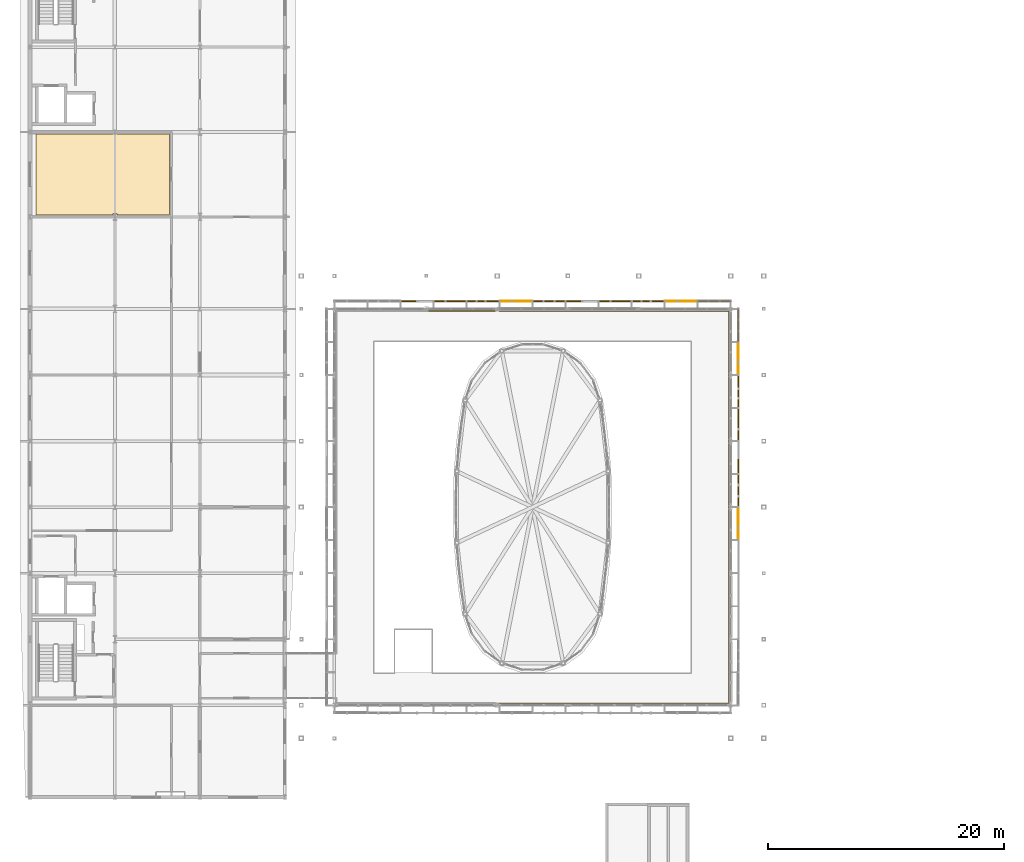
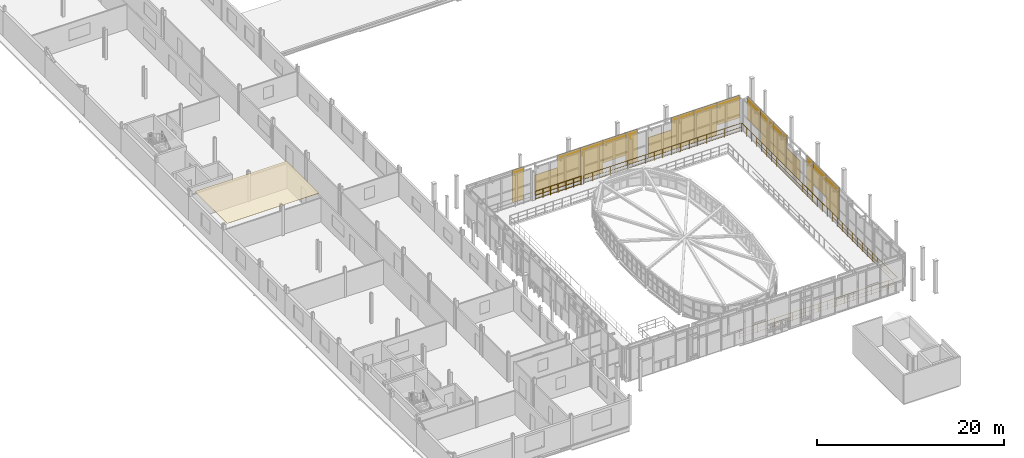
# One storey, part 75 of 78: 17 shading devices, 2 railings, 1 covering.
"""IFC4 building model written with IfcOpenShell, lengths in metres."""

from ifc_helpers import new_model, si_unit, direction, frame, origin, origin_2d, place, context, subcontext, project, spatial, polyline, rectangle, circle, outline, extrude, material, layer, layer_set, type_object, element, save


model = new_model("IFC4")

# Units and contexts
model_context = context("Model", 3, precision=1e-05, world=origin(), true_north=direction((0.0, 1.0)))
body_context = subcontext(model_context, "Body", "Model", "MODEL_VIEW")
ifc_project = project(units=[si_unit("LENGTHUNIT", "METRE"), si_unit("AREAUNIT", "SQUARE_METRE"), si_unit("VOLUMEUNIT", "CUBIC_METRE"), si_unit("PLANEANGLEUNIT", "RADIAN"), si_unit("MASSUNIT", "GRAM", prefix="KILO")], contexts=[model_context])

# Site, building, storey
site_placement = place(None, origin())
site = spatial("IfcSite", under=ifc_project, at=site_placement, CompositionType="ELEMENT")
building_placement = place(site_placement, origin())
building = spatial("IfcBuilding", under=site, at=building_placement, Name="Vinh Khe Railworks Police Headquarters", CompositionType="ELEMENT")
storey_placement = place(building_placement, frame((0.0, 0.0, 13.199951171875)))
storey = spatial("IfcBuildingStorey", under=building, at=storey_placement, Name="L03", CompositionType="ELEMENT", Elevation=13.199951171875)

# Covering
ifc_material_1 = material(Name="Mineral fibre acoustic ceiling tile")
ifc_layer = layer(ifc_material_1, 0.034912109375)
ifc_layer_set = layer_set([ifc_layer], Name="Mineral fibre acoustic ceiling tile")
covering_type = type_object("IfcCoveringType", Name="COV-CEIL-ACOUSTIC", PredefinedType="CEILING", material=ifc_layer_set)
covering_placement = place(storey_placement, frame((0.0, 0.0, 3.614990234375)))
element("IfcCovering", 1, at=covering_placement, inside=storey, type_object=covering_type, Name="Acoustic Ceiling Forensic Liaison Office", PredefinedType="CEILING", context=body_context, shape_type="SweptSolid", body=[
    extrude(outline(polyline([(7.955078125, 66.760009765625), (12.43994140625, 66.760009765625), (12.43994140625, 73.639892578125), (7.9599609375, 73.639892578125), (7.9599609375, 73.625), (7.639892578125, 73.625), (7.639892578125, 73.639892578125), (1.110107421875, 73.639892578125), (1.110107421875, 66.760009765625), (7.64501953125, 66.760009765625), (7.64501953125, 66.8798828125), (7.955078125, 66.8798828125), (7.955078125, 66.760009765625)])), origin(), (0.0, 0.0, 1.0), 0.03515625),
])

# Railings
ifc_material_2 = material(Name="Dark steel and laminated safety glass", Category="steel")
railing_type = type_object("IfcRailingType", Name="RL-ATRIUM-1150", PredefinedType="BALUSTRADE", material=ifc_material_2)
railing_1_placement = place(storey_placement, frame((40.375, 25.3798828125, 0.0)))
element("IfcRailing", 2, at=railing_1_placement, inside=storey, type_object=railing_type, Name="Atrium Balustrade GR-V1PERIM-L03-02", PredefinedType="BALUSTRADE", context=body_context, shape_type="SweptSolid", body=[
    extrude(circle(Radius=0.02392578125, at=origin_2d()), frame((0.0, 0.0, 1.1259765625), z_axis=(1.0, 0.0, 0.0), x_axis=(0.0, 1.0, 0.0)), (0.0, 0.0, 1.0), 19.445068359375),
    extrude(circle(Radius=0.01416015625, at=origin_2d()), frame((0.0, 0.0, 0.137939453125), z_axis=(1.0, 0.0, 0.0), x_axis=(0.0, 1.0, 0.0)), (0.0, 0.0, 1.0), 19.445068359375),
    extrude(circle(Radius=0.01416015625, at=origin_2d()), frame((0.0, 0.0, 0.597900390625), z_axis=(1.0, 0.0, 0.0), x_axis=(0.0, 1.0, 0.0)), (0.0, 0.0, 1.0), 19.445068359375),
    extrude(circle(Radius=0.02392578125, at=origin_2d()), frame((19.445068359375, 0.0, 1.1259765625), z_axis=(0.0, 1.0, 0.0), x_axis=(-1.0, 0.0, 0.0)), (0.0, 0.0, 1.0), 33.240234375),
    extrude(circle(Radius=0.01416015625, at=origin_2d()), frame((19.445068359375, 0.0, 0.137939453125), z_axis=(0.0, 1.0, 0.0), x_axis=(-1.0, 0.0, 0.0)), (0.0, 0.0, 1.0), 33.240234375),
    extrude(circle(Radius=0.01416015625, at=origin_2d()), frame((19.445068359375, 0.0, 0.597900390625), z_axis=(0.0, 1.0, 0.0), x_axis=(-1.0, 0.0, 0.0)), (0.0, 0.0, 1.0), 33.240234375),
    extrude(circle(Radius=0.02392578125, at=origin_2d()), frame((19.445068359375, 33.240234375, 1.1259765625), z_axis=(-1.0, 0.0, 0.0), x_axis=(0.0, -1.0, 0.0)), (0.0, 0.0, 1.0), 19.445068359375),
    extrude(circle(Radius=0.01416015625, at=origin_2d()), frame((19.445068359375, 33.240234375, 0.137939453125), z_axis=(-1.0, 0.0, 0.0), x_axis=(0.0, -1.0, 0.0)), (0.0, 0.0, 1.0), 19.445068359375),
    extrude(circle(Radius=0.01416015625, at=origin_2d()), frame((19.445068359375, 33.240234375, 0.597900390625), z_axis=(-1.0, 0.0, 0.0), x_axis=(0.0, -1.0, 0.0)), (0.0, 0.0, 1.0), 19.445068359375),
    extrude(circle(Radius=0.02099609375, at=origin_2d()), origin(), (0.0, 0.0, 1.0), 1.101806640625),
    extrude(circle(Radius=0.02099609375, at=origin_2d()), frame((1.080322265625, 0.0, 0.0)), (0.0, 0.0, 1.0), 1.101806640625),
    extrude(circle(Radius=0.02099609375, at=origin_2d()), frame((2.16064453125, 0.0, 0.0)), (0.0, 0.0, 1.0), 1.101806640625),
    extrude(circle(Radius=0.02099609375, at=origin_2d()), frame((3.24072265625, 0.0, 0.0)), (0.0, 0.0, 1.0), 1.101806640625),
    extrude(circle(Radius=0.02099609375, at=origin_2d()), frame((4.321044921875, 0.0, 0.0)), (0.0, 0.0, 1.0), 1.101806640625),
    extrude(circle(Radius=0.02099609375, at=origin_2d()), frame((5.4013671875, 0.0, 0.0)), (0.0, 0.0, 1.0), 1.101806640625),
    extrude(circle(Radius=0.02099609375, at=origin_2d()), frame((6.481689453125, 0.0, 0.0)), (0.0, 0.0, 1.0), 1.101806640625),
    extrude(circle(Radius=0.02099609375, at=origin_2d()), frame((7.56201171875, 0.0, 0.0)), (0.0, 0.0, 1.0), 1.101806640625),
    extrude(circle(Radius=0.02099609375, at=origin_2d()), frame((8.642333984375, 0.0, 0.0)), (0.0, 0.0, 1.0), 1.101806640625),
    extrude(circle(Radius=0.02099609375, at=origin_2d()), frame((9.72265625, 0.0, 0.0)), (0.0, 0.0, 1.0), 1.101806640625),
    extrude(circle(Radius=0.02099609375, at=origin_2d()), frame((10.802734375, 0.0, 0.0)), (0.0, 0.0, 1.0), 1.101806640625),
    extrude(circle(Radius=0.02099609375, at=origin_2d()), frame((11.883056640625, 0.0, 0.0)), (0.0, 0.0, 1.0), 1.101806640625),
    extrude(circle(Radius=0.02099609375, at=origin_2d()), frame((12.96337890625, 0.0, 0.0)), (0.0, 0.0, 1.0), 1.101806640625),
    extrude(circle(Radius=0.02099609375, at=origin_2d()), frame((14.043701171875, 0.0, 0.0)), (0.0, 0.0, 1.0), 1.101806640625),
    extrude(circle(Radius=0.02099609375, at=origin_2d()), frame((15.1240234375, 0.0, 0.0)), (0.0, 0.0, 1.0), 1.101806640625),
    extrude(circle(Radius=0.02099609375, at=origin_2d()), frame((16.2041015625, 0.0, 0.0)), (0.0, 0.0, 1.0), 1.101806640625),
    extrude(circle(Radius=0.02099609375, at=origin_2d()), frame((17.284423828125, 0.0, 0.0)), (0.0, 0.0, 1.0), 1.101806640625),
    extrude(circle(Radius=0.02099609375, at=origin_2d()), frame((18.36474609375, 0.0, 0.0)), (0.0, 0.0, 1.0), 1.101806640625),
    extrude(circle(Radius=0.02099609375, at=origin_2d()), frame((19.445068359375, 0.0, 0.0)), (0.0, 0.0, 1.0), 1.101806640625),
    extrude(circle(Radius=0.02099609375, at=origin_2d()), frame((19.445068359375, 1.072265625, 0.0)), (0.0, 0.0, 1.0), 1.101806640625),
    extrude(circle(Radius=0.02099609375, at=origin_2d()), frame((19.445068359375, 2.14453125, 0.0)), (0.0, 0.0, 1.0), 1.101806640625),
    extrude(circle(Radius=0.02099609375, at=origin_2d()), frame((19.445068359375, 3.216796875, 0.0)), (0.0, 0.0, 1.0), 1.101806640625),
    extrude(circle(Radius=0.02099609375, at=origin_2d()), frame((19.445068359375, 4.2890625, 0.0)), (0.0, 0.0, 1.0), 1.101806640625),
    extrude(circle(Radius=0.02099609375, at=origin_2d()), frame((19.445068359375, 5.361328125, 0.0)), (0.0, 0.0, 1.0), 1.101806640625),
    extrude(circle(Radius=0.02099609375, at=origin_2d()), frame((19.445068359375, 6.43359375, 0.0)), (0.0, 0.0, 1.0), 1.101806640625),
    extrude(circle(Radius=0.02099609375, at=origin_2d()), frame((19.445068359375, 7.505859375, 0.0)), (0.0, 0.0, 1.0), 1.101806640625),
    extrude(circle(Radius=0.02099609375, at=origin_2d()), frame((19.445068359375, 8.578125, 0.0)), (0.0, 0.0, 1.0), 1.101806640625),
    extrude(circle(Radius=0.02099609375, at=origin_2d()), frame((19.445068359375, 9.650390625, 0.0)), (0.0, 0.0, 1.0), 1.101806640625),
    extrude(circle(Radius=0.02099609375, at=origin_2d()), frame((19.445068359375, 10.72265625, 0.0)), (0.0, 0.0, 1.0), 1.101806640625),
    extrude(circle(Radius=0.02099609375, at=origin_2d()), frame((19.445068359375, 11.794921875, 0.0)), (0.0, 0.0, 1.0), 1.101806640625),
    extrude(circle(Radius=0.02099609375, at=origin_2d()), frame((19.445068359375, 12.8671875, 0.0)), (0.0, 0.0, 1.0), 1.101806640625),
    extrude(circle(Radius=0.02099609375, at=origin_2d()), frame((19.445068359375, 13.939453125, 0.0)), (0.0, 0.0, 1.0), 1.101806640625),
    extrude(circle(Radius=0.02099609375, at=origin_2d()), frame((19.445068359375, 15.01171875, 0.0)), (0.0, 0.0, 1.0), 1.101806640625),
    extrude(circle(Radius=0.02099609375, at=origin_2d()), frame((19.445068359375, 16.083984375, 0.0)), (0.0, 0.0, 1.0), 1.101806640625),
    extrude(circle(Radius=0.02099609375, at=origin_2d()), frame((19.445068359375, 17.15625, 0.0)), (0.0, 0.0, 1.0), 1.101806640625),
    extrude(circle(Radius=0.02099609375, at=origin_2d()), frame((19.445068359375, 18.228515625, 0.0)), (0.0, 0.0, 1.0), 1.101806640625),
    extrude(circle(Radius=0.02099609375, at=origin_2d()), frame((19.445068359375, 19.30078125, 0.0)), (0.0, 0.0, 1.0), 1.101806640625),
    extrude(circle(Radius=0.02099609375, at=origin_2d()), frame((19.445068359375, 20.373046875, 0.0)), (0.0, 0.0, 1.0), 1.101806640625),
    extrude(circle(Radius=0.02099609375, at=origin_2d()), frame((19.445068359375, 21.4453125, 0.0)), (0.0, 0.0, 1.0), 1.101806640625),
    extrude(circle(Radius=0.02099609375, at=origin_2d()), frame((19.445068359375, 22.517578125, 0.0)), (0.0, 0.0, 1.0), 1.101806640625),
    extrude(circle(Radius=0.02099609375, at=origin_2d()), frame((19.445068359375, 23.58984375, 0.0)), (0.0, 0.0, 1.0), 1.101806640625),
    extrude(circle(Radius=0.02099609375, at=origin_2d()), frame((19.445068359375, 24.662109375, 0.0)), (0.0, 0.0, 1.0), 1.101806640625),
    extrude(circle(Radius=0.02099609375, at=origin_2d()), frame((19.445068359375, 25.734375, 0.0)), (0.0, 0.0, 1.0), 1.101806640625),
    extrude(circle(Radius=0.02099609375, at=origin_2d()), frame((19.445068359375, 26.806640625, 0.0)), (0.0, 0.0, 1.0), 1.101806640625),
    extrude(circle(Radius=0.02099609375, at=origin_2d()), frame((19.445068359375, 27.87890625, 0.0)), (0.0, 0.0, 1.0), 1.101806640625),
    extrude(circle(Radius=0.02099609375, at=origin_2d()), frame((19.445068359375, 28.951171875, 0.0)), (0.0, 0.0, 1.0), 1.101806640625),
    extrude(circle(Radius=0.02099609375, at=origin_2d()), frame((19.445068359375, 30.0234375, 0.0)), (0.0, 0.0, 1.0), 1.101806640625),
    extrude(circle(Radius=0.02099609375, at=origin_2d()), frame((19.445068359375, 31.095703125, 0.0)), (0.0, 0.0, 1.0), 1.101806640625),
    extrude(circle(Radius=0.02099609375, at=origin_2d()), frame((19.445068359375, 32.16796875, 0.0)), (0.0, 0.0, 1.0), 1.101806640625),
    extrude(circle(Radius=0.02099609375, at=origin_2d()), frame((19.445068359375, 33.240234375, 0.0)), (0.0, 0.0, 1.0), 1.101806640625),
    extrude(circle(Radius=0.02099609375, at=origin_2d()), frame((18.36474609375, 33.240234375, 0.0)), (0.0, 0.0, 1.0), 1.101806640625),
    extrude(circle(Radius=0.02099609375, at=origin_2d()), frame((17.284423828125, 33.240234375, 0.0)), (0.0, 0.0, 1.0), 1.101806640625),
    extrude(circle(Radius=0.02099609375, at=origin_2d()), frame((16.2041015625, 33.240234375, 0.0)), (0.0, 0.0, 1.0), 1.101806640625),
    extrude(circle(Radius=0.02099609375, at=origin_2d()), frame((15.1240234375, 33.240234375, 0.0)), (0.0, 0.0, 1.0), 1.101806640625),
    extrude(circle(Radius=0.02099609375, at=origin_2d()), frame((14.043701171875, 33.240234375, 0.0)), (0.0, 0.0, 1.0), 1.101806640625),
    extrude(circle(Radius=0.02099609375, at=origin_2d()), frame((12.96337890625, 33.240234375, 0.0)), (0.0, 0.0, 1.0), 1.101806640625),
    extrude(circle(Radius=0.02099609375, at=origin_2d()), frame((11.883056640625, 33.240234375, 0.0)), (0.0, 0.0, 1.0), 1.101806640625),
    extrude(circle(Radius=0.02099609375, at=origin_2d()), frame((10.802734375, 33.240234375, 0.0)), (0.0, 0.0, 1.0), 1.101806640625),
    extrude(circle(Radius=0.02099609375, at=origin_2d()), frame((9.72265625, 33.240234375, 0.0)), (0.0, 0.0, 1.0), 1.101806640625),
    extrude(circle(Radius=0.02099609375, at=origin_2d()), frame((8.642333984375, 33.240234375, 0.0)), (0.0, 0.0, 1.0), 1.101806640625),
    extrude(circle(Radius=0.02099609375, at=origin_2d()), frame((7.56201171875, 33.240234375, 0.0)), (0.0, 0.0, 1.0), 1.101806640625),
    extrude(circle(Radius=0.02099609375, at=origin_2d()), frame((6.481689453125, 33.240234375, 0.0)), (0.0, 0.0, 1.0), 1.101806640625),
    extrude(circle(Radius=0.02099609375, at=origin_2d()), frame((5.4013671875, 33.240234375, 0.0)), (0.0, 0.0, 1.0), 1.101806640625),
    extrude(circle(Radius=0.02099609375, at=origin_2d()), frame((4.321044921875, 33.240234375, 0.0)), (0.0, 0.0, 1.0), 1.101806640625),
    extrude(circle(Radius=0.02099609375, at=origin_2d()), frame((3.24072265625, 33.240234375, 0.0)), (0.0, 0.0, 1.0), 1.101806640625),
    extrude(circle(Radius=0.02099609375, at=origin_2d()), frame((2.16064453125, 33.240234375, 0.0)), (0.0, 0.0, 1.0), 1.101806640625),
    extrude(circle(Radius=0.02099609375, at=origin_2d()), frame((1.080322265625, 33.240234375, 0.0)), (0.0, 0.0, 1.0), 1.101806640625),
    extrude(circle(Radius=0.02099609375, at=origin_2d()), frame((0.0, 33.240234375, 0.0)), (0.0, 0.0, 1.0), 1.101806640625),
])
railing_2_placement = place(storey_placement, frame((40.02490234375, 58.6201171875, 0.0)))
element("IfcRailing", 3, at=railing_2_placement, inside=storey, type_object=railing_type, Name="Atrium Balustrade GR-V1PERIM-L03-03", PredefinedType="BALUSTRADE", context=body_context, shape_type="SweptSolid", body=[
    extrude(circle(Radius=0.02392578125, at=origin_2d()), frame((0.0, 0.0, 1.1259765625), z_axis=(-1.0, 0.0, 0.0), x_axis=(0.0, -1.0, 0.0)), (0.0, 0.0, 1.0), 5.64990234375),
    extrude(circle(Radius=0.01416015625, at=origin_2d()), frame((0.0, 0.0, 0.137939453125), z_axis=(-1.0, 0.0, 0.0), x_axis=(0.0, -1.0, 0.0)), (0.0, 0.0, 1.0), 5.64990234375),
    extrude(circle(Radius=0.01416015625, at=origin_2d()), frame((0.0, 0.0, 0.597900390625), z_axis=(-1.0, 0.0, 0.0), x_axis=(0.0, -1.0, 0.0)), (0.0, 0.0, 1.0), 5.64990234375),
    extrude(circle(Radius=0.02099609375, at=origin_2d()), origin(), (0.0, 0.0, 1.0), 1.101806640625),
    extrude(circle(Radius=0.02099609375, at=origin_2d()), frame((-0.941650390625, 0.0, 0.0)), (0.0, 0.0, 1.0), 1.101806640625),
    extrude(circle(Radius=0.02099609375, at=origin_2d()), frame((-1.88330078125, 0.0, 0.0)), (0.0, 0.0, 1.0), 1.101806640625),
    extrude(circle(Radius=0.02099609375, at=origin_2d()), frame((-2.824951171875, 0.0, 0.0)), (0.0, 0.0, 1.0), 1.101806640625),
    extrude(circle(Radius=0.02099609375, at=origin_2d()), frame((-3.7666015625, 0.0, 0.0)), (0.0, 0.0, 1.0), 1.101806640625),
    extrude(circle(Radius=0.02099609375, at=origin_2d()), frame((-4.708251953125, 0.0, 0.0)), (0.0, 0.0, 1.0), 1.101806640625),
    extrude(circle(Radius=0.02099609375, at=origin_2d()), frame((-5.64990234375, 0.0, 0.0)), (0.0, 0.0, 1.0), 1.101806640625),
])

# Shading devices
ifc_material_3 = material(Name="Salvaged ironwood timber", Category="wood")
shading_device_type_1 = type_object("IfcShadingDeviceType", Name="SHD-QS-01", PredefinedType="JALOUSIE", material=ifc_material_3)
shading_device_1_placement = place(storey_placement, frame((36.199951171875, 59.449951171875, 0.0), z_axis=(0.0, 0.0, 1.0), x_axis=(1.0, 0.0, 0.0)))
element("IfcShadingDevice", 4, at=shading_device_1_placement, inside=storey, type_object=shading_device_type_1, Name="Salvaged Ironwood Quilt Casement N-4", PredefinedType="JALOUSIE", context=body_context, shape_type="SweptSolid", body=[
    extrude(rectangle(XDim=2.800048828125, YDim=0.090087890625, at=origin_2d()), origin(), (0.0, 0.0, 1.0), 2.60400390625),
])
shading_device_2_placement = place(storey_placement, frame((44.60009765625, 59.449951171875, 1.260009765625), z_axis=(0.0, 0.0, 1.0), x_axis=(1.0, 0.0, 0.0)))
element("IfcShadingDevice", 5, at=shading_device_2_placement, inside=storey, type_object=shading_device_type_1, Name="Salvaged Ironwood Upper Quilt Frame N-7", PredefinedType="JALOUSIE", context=body_context, shape_type="SweptSolid", body=[
    extrude(rectangle(XDim=2.800048828125, YDim=0.090087890625, at=origin_2d()), origin(), (0.0, 0.0, 1.0), 2.93994140625),
])
shading_device_3_placement = place(storey_placement, frame((50.199951171875, 59.449951171875, 0.0), z_axis=(0.0, 0.0, 1.0), x_axis=(1.0, 0.0, 0.0)))
element("IfcShadingDevice", 6, at=shading_device_3_placement, inside=storey, type_object=shading_device_type_1, Name="Salvaged Ironwood Quilt Casement N-9", PredefinedType="JALOUSIE", context=body_context, shape_type="SweptSolid", body=[
    extrude(rectangle(XDim=2.800048828125, YDim=0.090087890625, at=origin_2d()), origin(), (0.0, 0.0, 1.0), 2.60400390625),
])
for number, where, z_axis, x_axis, name in (
    (7, (58.60009765625, 59.449951171875, 1.260009765625), (0.0, 0.0, 1.0), (1.0, 0.0, 0.0), "Salvaged Ironwood Upper Quilt Frame N-12"),
    (8, (60.64990234375, 43.39990234375, 1.260009765625), (0.0, 0.0, 1.0), (0.0, 1.0, 0.0), "Salvaged Ironwood Upper Quilt Frame E-7"),
):
    element("IfcShadingDevice", number, at=place(storey_placement, frame(where, z_axis=z_axis, x_axis=x_axis)), inside=storey, type_object=shading_device_type_1, Name=name, PredefinedType="JALOUSIE", context=body_context, shape_type="SweptSolid", body=[
        extrude(rectangle(XDim=2.800048828125, YDim=0.090087890625, at=origin_2d()), origin(), (0.0, 0.0, 1.0), 2.93994140625),
    ])
shading_device_4_placement = place(storey_placement, frame((60.64990234375, 49.0, 0.0), z_axis=(0.0, 0.0, 1.0), x_axis=(0.0, 1.0, 0.0)))
element("IfcShadingDevice", 9, at=shading_device_4_placement, inside=storey, type_object=shading_device_type_1, Name="Salvaged Ironwood Quilt Casement E-9", PredefinedType="JALOUSIE", context=body_context, shape_type="SweptSolid", body=[
    extrude(rectangle(XDim=2.800048828125, YDim=0.090087890625, at=origin_2d()), origin(), (0.0, 0.0, 1.0), 2.60400390625),
])
shading_device_5_placement = place(storey_placement, frame((60.64990234375, 57.39990234375, 1.260009765625), z_axis=(0.0, 0.0, 1.0), x_axis=(0.0, 1.0, 0.0)))
element("IfcShadingDevice", 10, at=shading_device_5_placement, inside=storey, type_object=shading_device_type_1, Name="Salvaged Ironwood Upper Quilt Frame E-12", PredefinedType="JALOUSIE", context=body_context, shape_type="SweptSolid", body=[
    extrude(rectangle(XDim=2.800048828125, YDim=0.090087890625, at=origin_2d()), origin(), (0.0, 0.0, 1.0), 2.93994140625),
])
shading_device_type_2 = type_object("IfcShadingDeviceType", Name="SHD-QS-02", PredefinedType="JALOUSIE", material=ifc_material_3)
for number, where, z_axis, x_axis, name in (
    (11, (32.699951171875, 59.449951171875, 0.0), (0.0, 0.0, 1.0), (1.0, 0.0, 0.0), "Ironwood Tall Quilt Casement N-3L"),
    (12, (46.699951171875, 59.449951171875, 0.0), (0.0, 0.0, 1.0), (1.0, 0.0, 0.0), "Ironwood Tall Quilt Casement N-8L"),
    (13, (60.64990234375, 45.5, 0.0), (0.0, 0.0, 1.0), (0.0, 1.0, 0.0), "Ironwood Tall Quilt Casement E-8L"),
):
    element("IfcShadingDevice", number, at=place(storey_placement, frame(where, z_axis=z_axis, x_axis=x_axis)), inside=storey, type_object=shading_device_type_2, Name=name, PredefinedType="JALOUSIE", context=body_context, shape_type="SweptSolid", body=[
        extrude(rectangle(XDim=1.39990234375, YDim=0.090087890625, at=origin_2d()), origin(), (0.0, 0.0, 1.0), 4.199951171875),
    ])
ifc_material_4 = material(Name="Weathered architectural steel", Category="steel")
shading_device_type_3 = type_object("IfcShadingDeviceType", Name="SHD-QS-03", PredefinedType="SHUTTER", material=ifc_material_4)
for number, where, z_axis, x_axis, name in (
    (14, (41.800048828125, 59.449951171875, 0.0), (0.0, 0.0, 1.0), (1.0, 0.0, 0.0), "Dark Steel Patchwork Casement Frame N-6"),
    (15, (55.800048828125, 59.449951171875, 0.0), (0.0, 0.0, 1.0), (1.0, 0.0, 0.0), "Dark Steel Patchwork Casement Frame N-11"),
    (16, (60.64990234375, 40.60009765625, 0.0), (0.0, 0.0, 1.0), (0.0, 1.0, 0.0), "Dark Steel Patchwork Casement Frame E-6"),
    (17, (60.64990234375, 54.60009765625, 0.0), (0.0, 0.0, 1.0), (0.0, 1.0, 0.0), "Dark Steel Patchwork Casement Frame E-11"),
):
    element("IfcShadingDevice", number, at=place(storey_placement, frame(where, z_axis=z_axis, x_axis=x_axis)), inside=storey, type_object=shading_device_type_3, Name=name, PredefinedType="SHUTTER", context=body_context, shape_type="SweptSolid", body=[
        extrude(rectangle(XDim=2.800048828125, YDim=0.080078125, at=origin_2d()), origin(), (0.0, 0.0, 1.0), 4.199951171875),
    ])
shading_device_type_4 = type_object("IfcShadingDeviceType", Name="SHD-QS-04", PredefinedType="SHUTTER", material=ifc_material_3)
for number, where, z_axis, x_axis, name in (
    (18, (39.0, 59.449951171875, 0.0), (0.0, 0.0, 1.0), (1.0, 0.0, 0.0), "Shuttered Ironwood Casement N-5"),
    (19, (53.0, 59.449951171875, 0.0), (0.0, 0.0, 1.0), (1.0, 0.0, 0.0), "Shuttered Ironwood Casement N-10"),
    (20, (60.64990234375, 51.800048828125, 0.0), (0.0, 0.0, 1.0), (0.0, 1.0, 0.0), "Shuttered Ironwood Casement E-10"),
):
    element("IfcShadingDevice", number, at=place(storey_placement, frame(where, z_axis=z_axis, x_axis=x_axis)), inside=storey, type_object=shading_device_type_4, Name=name, PredefinedType="SHUTTER", context=body_context, shape_type="SweptSolid", body=[
        extrude(rectangle(XDim=2.800048828125, YDim=0.090087890625, at=origin_2d()), origin(), (0.0, 0.0, 1.0), 4.199951171875),
    ])

save(model, "model.ifc")
